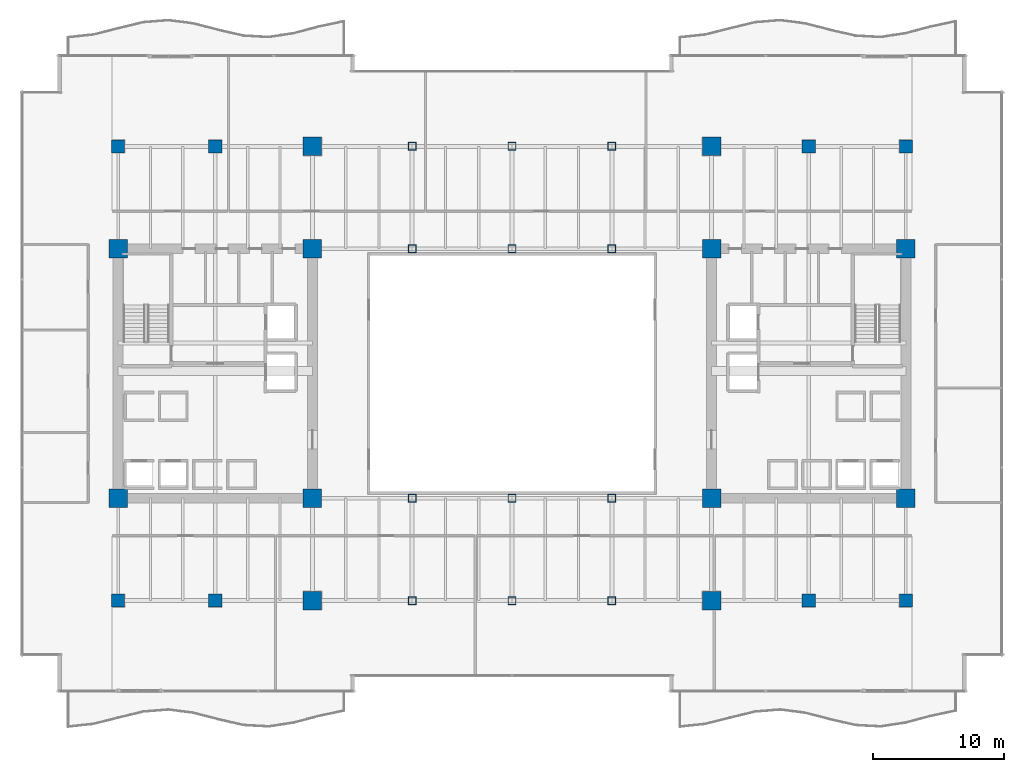
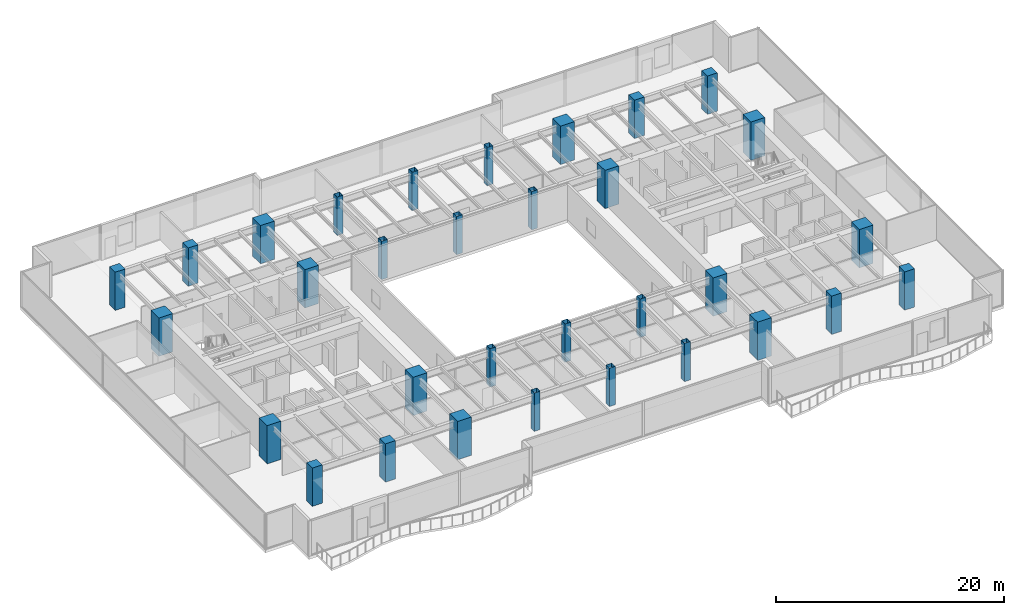
# One storey, part 1 of 32: 32 columns.
"""IFC4 building model written with IfcOpenShell, lengths in metres."""

import ifcopenshell
import ifcopenshell.guid

model = None  # the IFC model being written
_history = None  # IfcOwnerHistory: only IFC2X3 demands one
_inside = {}  # id of a spatial element -> (the spatial element, [elements in it])
_under = {}  # id of a project, library or spatial element -> (it, [spatial elements below it])
_declared = {}  # id of a project -> (the project, [libraries it declares])
_typed = {}  # id of a type object -> (the type object, [elements of that type])
_made_of = {}  # id of a material, layer set ... -> (it, [elements and type objects made of it])


def new_model(schema):
    """Start an empty IFC model of exactly this schema.

    Asked for "IFC4X3", IfcOpenShell would pick the latest addendum, in which some entities
    have other attributes; the version numbers below select the first issue.
    IFC2X3 requires an IfcOwnerHistory on every rooted entity: one is made here for all.
    """
    global model, _history
    if schema == "IFC4X3":
        model = ifcopenshell.file(schema_version=(4, 3, 0, 0))
    else:
        model = ifcopenshell.file(schema=schema)
    _inside.clear()
    _under.clear()
    _declared.clear()
    _typed.clear()
    _made_of.clear()
    _history = None
    if model.schema == "IFC2X3":
        org = make("IfcOrganization", Name="unknown")
        user = make(
            "IfcPersonAndOrganization",
            ThePerson=make("IfcPerson", FamilyName="unknown"),
            TheOrganization=org,
        )
        app = make(
            "IfcApplication",
            ApplicationDeveloper=org,
            Version="unknown",
            ApplicationFullName="unknown",
            ApplicationIdentifier="unknown",
        )
        _history = make(
            "IfcOwnerHistory",
            OwningUser=user,
            OwningApplication=app,
            ChangeAction="ADDED",
            CreationDate=0,
        )
    return model


def make(cls, **values):
    """One entity of the class cls with the attributes given. An attribute that is None is left unset."""
    return model.create_entity(
        cls, **{name: value for name, value in values.items() if value is not None}
    )


def rooted(cls, **values):
    """An entity with a GlobalId (a new one), such as an element, a storey or a relation."""
    return make(cls, GlobalId=ifcopenshell.guid.new(), OwnerHistory=_history, **values)


def si_unit(unit_type, name, prefix=None):
    """IfcSIUnit, for example si_unit("LENGTHUNIT", "METRE", prefix="MILLI")."""
    return make("IfcSIUnit", UnitType=unit_type, Prefix=prefix, Name=name)


def assignment(units):
    """IfcUnitAssignment: the units of a project."""
    return None if units is None else make("IfcUnitAssignment", Units=units)


def point(xyz):
    """IfcCartesianPoint."""
    return None if xyz is None else make("IfcCartesianPoint", Coordinates=xyz)


def direction(xyz):
    """IfcDirection."""
    return None if xyz is None else make("IfcDirection", DirectionRatios=xyz)


def frame(location, z_axis=None, x_axis=None):
    """IfcAxis2Placement3D, a coordinate frame: its origin and axes. An axis left out is left unset."""
    return make(
        "IfcAxis2Placement3D",
        Location=point(location),
        Axis=direction(z_axis),
        RefDirection=direction(x_axis),
    )


def frame_2d(location, x_axis=None):
    """IfcAxis2Placement2D, a coordinate frame in the plane: its origin and x axis."""
    return make(
        "IfcAxis2Placement2D", Location=point(location), RefDirection=direction(x_axis)
    )


def origin():
    """The frame at (0, 0, 0) with its axes left unset."""
    return frame((0.0, 0.0, 0.0))


def origin_2d():
    """The frame at (0, 0) in the plane with its x axis left unset."""
    return frame_2d((0.0, 0.0))


def place(relative_to, where):
    """IfcLocalPlacement: puts the frame where relative to a parent placement (None: the world)."""
    return make(
        "IfcLocalPlacement", PlacementRelTo=relative_to, RelativePlacement=where
    )


def context(
    kind, dimensions, precision=None, world=None, true_north=None, identifier=None
):
    """IfcGeometricRepresentationContext, for example the 3D "Model" context."""
    return make(
        "IfcGeometricRepresentationContext",
        ContextIdentifier=identifier,
        ContextType=kind,
        CoordinateSpaceDimension=dimensions,
        Precision=precision,
        WorldCoordinateSystem=world,
        TrueNorth=true_north,
    )


def subcontext(parent, identifier, kind, view, scale=None):
    """IfcGeometricRepresentationSubContext, for example "Body" below "Model"."""
    return make(
        "IfcGeometricRepresentationSubContext",
        ContextIdentifier=identifier,
        ContextType=kind,
        ParentContext=parent,
        TargetScale=scale,
        TargetView=view,
    )


def project(units=None, contexts=None):
    """IfcProject with its units and contexts."""
    return rooted(
        "IfcProject",
        Name="project",
        RepresentationContexts=contexts,
        UnitsInContext=assignment(units),
    )


def spatial(cls, under=None, at=None, **own):
    """A site, building, storey or space (cls), placed at a placement, below another one or the project."""
    s = rooted(cls, ObjectPlacement=at, **own)
    if under is not None:
        _under.setdefault(under.id(), (under, []))[1].append(s)
    return s


def profile(cls, at=None, kind="AREA", **sizes):
    """A parametric profile (cls). Its sizes go by their IFC names, for example OverallWidth=200.0."""
    return make(cls, ProfileType=kind, Position=at, **sizes)


def rectangle(**sizes):
    """IfcRectangleProfileDef."""
    return profile("IfcRectangleProfileDef", **sizes)


def hollow_rectangle(**sizes):
    """IfcRectangleHollowProfileDef."""
    return profile("IfcRectangleHollowProfileDef", **sizes)


def extrude(swept, where, along, depth):
    """IfcExtrudedAreaSolid: the profile swept, set in the frame where, extruded along a direction by depth."""
    return make(
        "IfcExtrudedAreaSolid",
        SweptArea=swept,
        Position=where,
        ExtrudedDirection=direction(along),
        Depth=depth,
    )


def shape(context_of_items, identifier, shape_type, items):
    """IfcShapeRepresentation: the items that make up one representation, for example the "Body"."""
    return make(
        "IfcShapeRepresentation",
        ContextOfItems=context_of_items,
        RepresentationIdentifier=identifier,
        RepresentationType=shape_type,
        Items=items,
    )


def source(mapping_origin, context_of_items, identifier, shape_type, items):
    """IfcRepresentationMap: a shape defined once, which mapped items show again and again."""
    return make(
        "IfcRepresentationMap",
        MappingOrigin=mapping_origin,
        MappedRepresentation=shape(context_of_items, identifier, shape_type, items),
    )


def transform(
    local_origin,
    x_axis=None,
    y_axis=None,
    z_axis=None,
    scale=None,
    scale2=None,
    scale3=None,
    uniform=True,
):
    """IfcCartesianTransformationOperator3D, or its non-uniform kind. x_axis, y_axis, z_axis: its Axis1, 2, 3."""
    if uniform:
        return make(
            "IfcCartesianTransformationOperator3D",
            Axis1=direction(x_axis),
            Axis2=direction(y_axis),
            LocalOrigin=point(local_origin),
            Scale=scale,
            Axis3=direction(z_axis),
        )
    return make(
        "IfcCartesianTransformationOperator3DnonUniform",
        Axis1=direction(x_axis),
        Axis2=direction(y_axis),
        LocalOrigin=point(local_origin),
        Scale=scale,
        Axis3=direction(z_axis),
        Scale2=scale2,
        Scale3=scale3,
    )


def mapped(mapping_source, mapping_target):
    """IfcMappedItem: shows the shape of a source again, moved by a transform."""
    return make(
        "IfcMappedItem", MappingSource=mapping_source, MappingTarget=mapping_target
    )


def material(Name=None, Category=None):
    """IfcMaterial."""
    return make("IfcMaterial", Name=Name, Category=Category)


def material_profile(
    of_material, cross_section, Name=None, Category=None, Priority=None
):
    """IfcMaterialProfile: a cross section and its material."""
    return make(
        "IfcMaterialProfile",
        Name=Name,
        Material=of_material,
        Profile=cross_section,
        Priority=Priority,
        Category=Category,
    )


def profile_set(profiles, Name=None, composite=None):
    """IfcMaterialProfileSet."""
    return make(
        "IfcMaterialProfileSet",
        Name=Name,
        MaterialProfiles=profiles,
        CompositeProfile=composite,
    )


def made_of(thing, what):
    """Note that an element or type object is made of a material, layer set ...; save() writes the relation."""
    if what is not None:
        _made_of.setdefault(what.id(), (what, []))[1].append(thing)
    return thing


def type_object(cls, material=None, **own):
    """A type object (cls), such as IfcWallType, which elements share."""
    return made_of(rooted(cls, **own), material)


def type_shapes(of_type, sources):
    """Give a type object the sources (RepresentationMaps) that its elements show as mapped items."""
    of_type.RepresentationMaps = sources


def element(
    cls,
    number,
    at=None,
    inside=None,
    cuts=None,
    type_object=None,
    material=None,
    context=None,
    identifier="Body",
    shape_type=None,
    held_by="IfcProductDefinitionShape",
    body=None,
    shapes=None,
    **own,
):
    """One element of the class cls, such as IfcWall. Its Tag is "e" and its number.

    at: its placement. inside: the storey or other place that contains it. cuts: it is an
    opening in that element (IfcRelVoidsElement). A single representation is given by context,
    identifier, shape_type and body (its items); several are given by shapes. held_by: the class
    of the entity that holds the representations. save() writes the other relations.
    """
    e = rooted(cls, Tag="e%d" % number, ObjectPlacement=at, **own)
    if body is not None:
        shapes = [shape(context, identifier, shape_type, body)]
    if shapes is not None:
        e.Representation = make(held_by, Representations=shapes)
    if inside is not None:
        _inside.setdefault(inside.id(), (inside, []))[1].append(e)
    if cuts is not None:
        rooted(
            "IfcRelVoidsElement", RelatingBuildingElement=cuts, RelatedOpeningElement=e
        )
    if type_object is not None:
        _typed.setdefault(type_object.id(), (type_object, []))[1].append(e)
    return made_of(e, material)


def aggregate(whole, parts):
    """IfcRelAggregates: a whole, such as a stair, and the parts it consists of."""
    return rooted("IfcRelAggregates", RelatingObject=whole, RelatedObjects=parts)


def save(model, path):
    """Write the relations noted so far, then the file.

    IfcRelAggregates (storeys below a building ...), IfcRelContainedInSpatialStructure (elements
    in a storey), IfcRelDefinesByType, IfcRelAssociatesMaterial and IfcRelDeclares: one each for
    every whole, place, type object, material and project.
    """
    for whole, parts in _under.values():
        aggregate(whole, parts)
    for where, things in _inside.values():
        rooted(
            "IfcRelContainedInSpatialStructure",
            RelatedElements=things,
            RelatingStructure=where,
        )
    for kind, things in _typed.values():
        rooted("IfcRelDefinesByType", RelatedObjects=things, RelatingType=kind)
    for what, things in _made_of.values():
        rooted("IfcRelAssociatesMaterial", RelatedObjects=things, RelatingMaterial=what)
    for by, libraries in _declared.values():
        rooted("IfcRelDeclares", RelatingContext=by, RelatedDefinitions=libraries)
    model.write(path)


model = new_model("IFC4")

# Units and contexts
model_context = context("Model", 3, precision=1e-05, world=origin(), true_north=direction((0.0, 1.0)))
body_context = subcontext(model_context, "Body", "Model", "MODEL_VIEW")
ifc_project = project(units=[si_unit("LENGTHUNIT", "METRE"), si_unit("AREAUNIT", "SQUARE_METRE"), si_unit("VOLUMEUNIT", "CUBIC_METRE"), si_unit("PLANEANGLEUNIT", "RADIAN"), si_unit("MASSUNIT", "GRAM", prefix="KILO")], contexts=[model_context])

# Site, building, storey
site_placement = place(None, origin())
site = spatial("IfcSite", under=ifc_project, at=site_placement, CompositionType="ELEMENT")
building_placement = place(site_placement, origin())
building = spatial("IfcBuilding", under=site, at=building_placement, Name="Haelvirn Gate Laboratories", CompositionType="ELEMENT")
storey_placement = place(building_placement, frame((0.0, 0.0, 33.39990234375)))
storey = spatial("IfcBuildingStorey", under=building, at=storey_placement, Name="L08", CompositionType="ELEMENT", Elevation=33.39990234375)

# Columns
ifc_material_1 = material(Name="Concrete C60/75", Category="concrete")
ifc_material_profile_1 = material_profile(ifc_material_1, rectangle(XDim=1.0, YDim=1.0, at=origin_2d()), Name="RC-1000x1000")
ifc_profile_set_1 = profile_set([ifc_material_profile_1], Name="Concrete C60/75")
column_type_1 = type_object("IfcColumnType", Name="COL-RC-1000", PredefinedType="COLUMN", material=ifc_profile_set_1)
shared_shape_1 = source(origin(), body_context, "Body", "SweptSolid", [
    extrude(rectangle(XDim=1.0, YDim=1.0, at=origin_2d()), origin(), (0.0, 0.0, 1.0), 4.10009765625),
])
type_shapes(column_type_1, [shared_shape_1])
for number, where, z_axis, x_axis, name in (
    (1, (14.800048828125, 7.0, 0.0), (0.0, 0.0, 1.0), (1.0, 0.0, 0.0), "L08 Column 3B"),
    (2, (14.800048828125, 41.60009765625, 0.0), (0.0, 0.0, 1.0), (1.0, 0.0, 0.0), "L08 Column 3G"),
    (3, (60.0, 7.0, 0.0), (0.0, 0.0, 1.0), (1.0, 0.0, 0.0), "L08 Column 9B"),
    (4, (60.0, 41.60009765625, 0.0), (0.0, 0.0, 1.0), (1.0, 0.0, 0.0), "L08 Column 9G"),
    (5, (7.39990234375, 7.0, 0.0), (0.0, 0.0, 1.0), (1.0, 0.0, 0.0), "L08 Column 2B"),
    (6, (7.39990234375, 41.60009765625, 0.0), (0.0, 0.0, 1.0), (1.0, 0.0, 0.0), "L08 Column 2G"),
    (7, (67.39990234375, 7.0, 0.0), (0.0, 0.0, 1.0), (1.0, 0.0, 0.0), "L08 Column 10B"),
    (8, (67.39990234375, 41.60009765625, 0.0), (0.0, 0.0, 1.0), (1.0, 0.0, 0.0), "L08 Column 10G"),
):
    element("IfcColumn", number, at=place(storey_placement, frame(where, z_axis=z_axis, x_axis=x_axis)), inside=storey, type_object=column_type_1, Name=name, PredefinedType="COLUMN", context=body_context, shape_type="MappedRepresentation", body=[
        mapped(shared_shape_1, transform((0.0, 0.0, 0.0), scale=1.0)),
    ])
ifc_material_2 = material(Name="Concrete C70/85", Category="concrete")
ifc_material_profile_2 = material_profile(ifc_material_2, rectangle(XDim=1.39990234375, YDim=1.39990234375, at=origin_2d()), Name="SRC-1400x1400")
ifc_profile_set_2 = profile_set([ifc_material_profile_2], Name="Concrete C70/85")
column_type_2 = type_object("IfcColumnType", Name="COL-SRC-1400", PredefinedType="COLUMN", material=ifc_profile_set_2)
shared_shape_2 = source(origin(), body_context, "Body", "SweptSolid", [
    extrude(rectangle(XDim=1.39990234375, YDim=1.39990234375, at=origin_2d()), origin(), (0.0, 0.0, 1.0), 4.10009765625),
])
type_shapes(column_type_2, [shared_shape_2])
for number, where, z_axis, x_axis, name in (
    (9, (22.199951171875, 7.0, 0.0), (0.0, 0.0, 1.0), (1.0, 0.0, 0.0), "L08 Column 4B"),
    (10, (7.39990234375, 14.800048828125, 0.0), (0.0, 0.0, 1.0), (1.0, 0.0, 0.0), "L08 Column 2C"),
    (11, (22.199951171875, 14.800048828125, 0.0), (0.0, 0.0, 1.0), (1.0, 0.0, 0.0), "L08 Column 4C"),
    (12, (7.39990234375, 33.800048828125, 0.0), (0.0, 0.0, 1.0), (1.0, 0.0, 0.0), "L08 Column 2F"),
    (13, (22.199951171875, 33.800048828125, 0.0), (0.0, 0.0, 1.0), (1.0, 0.0, 0.0), "L08 Column 4F"),
    (14, (22.199951171875, 41.60009765625, 0.0), (0.0, 0.0, 1.0), (1.0, 0.0, 0.0), "L08 Column 4G"),
    (15, (52.60009765625, 7.0, 0.0), (0.0, 0.0, 1.0), (1.0, 0.0, 0.0), "L08 Column 8B"),
    (16, (52.60009765625, 14.800048828125, 0.0), (0.0, 0.0, 1.0), (1.0, 0.0, 0.0), "L08 Column 8C"),
    (17, (67.39990234375, 14.800048828125, 0.0), (0.0, 0.0, 1.0), (1.0, 0.0, 0.0), "L08 Column 10C"),
    (18, (52.60009765625, 33.800048828125, 0.0), (0.0, 0.0, 1.0), (1.0, 0.0, 0.0), "L08 Column 8F"),
    (19, (67.39990234375, 33.800048828125, 0.0), (0.0, 0.0, 1.0), (1.0, 0.0, 0.0), "L08 Column 10F"),
    (20, (52.60009765625, 41.60009765625, 0.0), (0.0, 0.0, 1.0), (1.0, 0.0, 0.0), "L08 Column 8G"),
):
    element("IfcColumn", number, at=place(storey_placement, frame(where, z_axis=z_axis, x_axis=x_axis)), inside=storey, type_object=column_type_2, Name=name, PredefinedType="COLUMN", context=body_context, shape_type="MappedRepresentation", body=[
        mapped(shared_shape_2, transform((0.0, 0.0, 0.0), scale=1.0)),
    ])
ifc_material_3 = material(Name="Steel SM420", Category="steel")
ifc_material_profile_3 = material_profile(ifc_material_3, hollow_rectangle(XDim=0.60009765625, YDim=0.60009765625, WallThickness=0.028076171875, at=origin_2d()), Name="BOX-600x600x28")
ifc_profile_set_3 = profile_set([ifc_material_profile_3], Name="Steel SM420")
column_type_3 = type_object("IfcColumnType", Name="COL-BOX-600", PredefinedType="COLUMN", material=ifc_profile_set_3)
shared_shape_3 = source(origin(), body_context, "Body", "SweptSolid", [
    extrude(hollow_rectangle(XDim=0.60009765625, YDim=0.60009765625, WallThickness=0.028076171875, at=origin_2d()), origin(), (0.0, 0.0, 1.0), 4.10009765625),
])
type_shapes(column_type_3, [shared_shape_3])
for number, where, z_axis, x_axis, name in (
    (21, (29.800048828125, 7.0, 0.0), (0.0, 0.0, 1.0), (1.0, 0.0, 0.0), "L08 Column 5B"),
    (22, (29.800048828125, 14.800048828125, 0.0), (0.0, 0.0, 1.0), (1.0, 0.0, 0.0), "L08 Column 5C"),
    (23, (29.800048828125, 33.800048828125, 0.0), (0.0, 0.0, 1.0), (1.0, 0.0, 0.0), "L08 Column 5F"),
    (24, (29.800048828125, 41.60009765625, 0.0), (0.0, 0.0, 1.0), (1.0, 0.0, 0.0), "L08 Column 5G"),
    (25, (37.39990234375, 7.0, 0.0), (0.0, 0.0, 1.0), (1.0, 0.0, 0.0), "L08 Column 6B"),
    (26, (37.39990234375, 14.800048828125, 0.0), (0.0, 0.0, 1.0), (1.0, 0.0, 0.0), "L08 Column 6C"),
    (27, (37.39990234375, 33.800048828125, 0.0), (0.0, 0.0, 1.0), (1.0, 0.0, 0.0), "L08 Column 6F"),
    (28, (37.39990234375, 41.60009765625, 0.0), (0.0, 0.0, 1.0), (1.0, 0.0, 0.0), "L08 Column 6G"),
    (29, (45.0, 7.0, 0.0), (0.0, 0.0, 1.0), (1.0, 0.0, 0.0), "L08 Column 7B"),
    (30, (45.0, 14.800048828125, 0.0), (0.0, 0.0, 1.0), (1.0, 0.0, 0.0), "L08 Column 7C"),
    (31, (45.0, 33.800048828125, 0.0), (0.0, 0.0, 1.0), (1.0, 0.0, 0.0), "L08 Column 7F"),
    (32, (45.0, 41.60009765625, 0.0), (0.0, 0.0, 1.0), (1.0, 0.0, 0.0), "L08 Column 7G"),
):
    element("IfcColumn", number, at=place(storey_placement, frame(where, z_axis=z_axis, x_axis=x_axis)), inside=storey, type_object=column_type_3, Name=name, PredefinedType="COLUMN", context=body_context, shape_type="MappedRepresentation", body=[
        mapped(shared_shape_3, transform((0.0, 0.0, 0.0), scale=1.0)),
    ])

save(model, "model.ifc")
